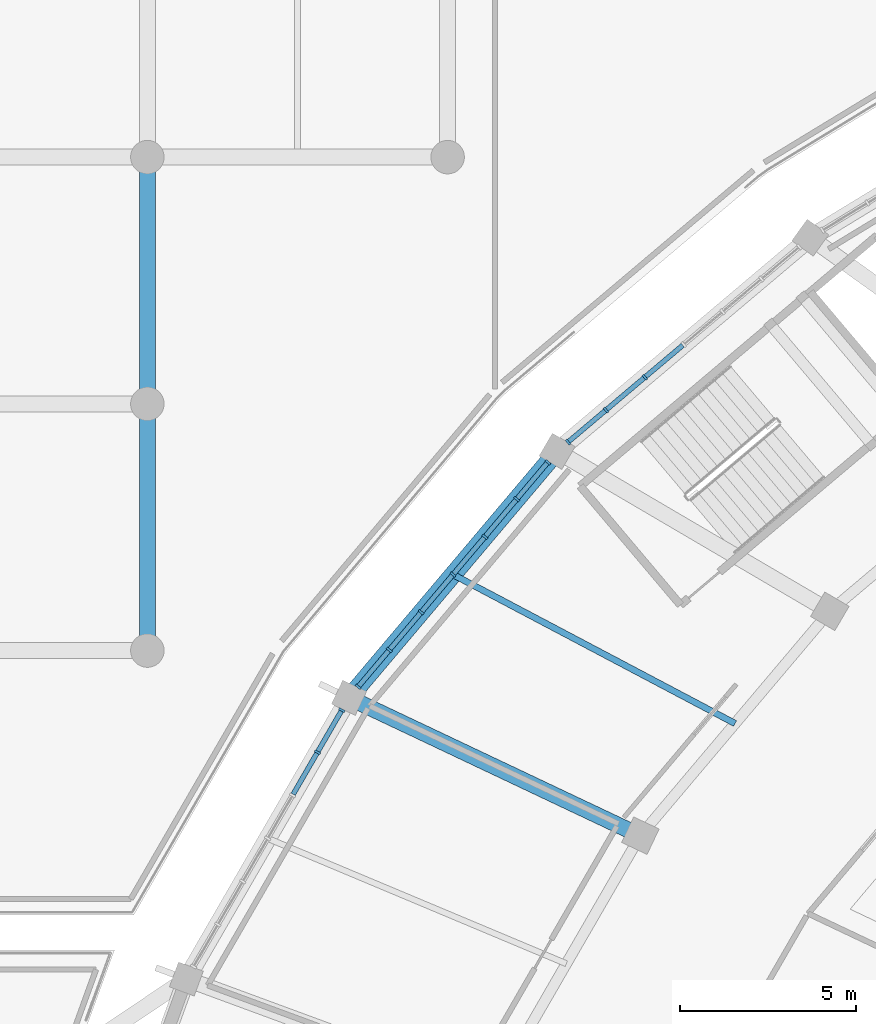
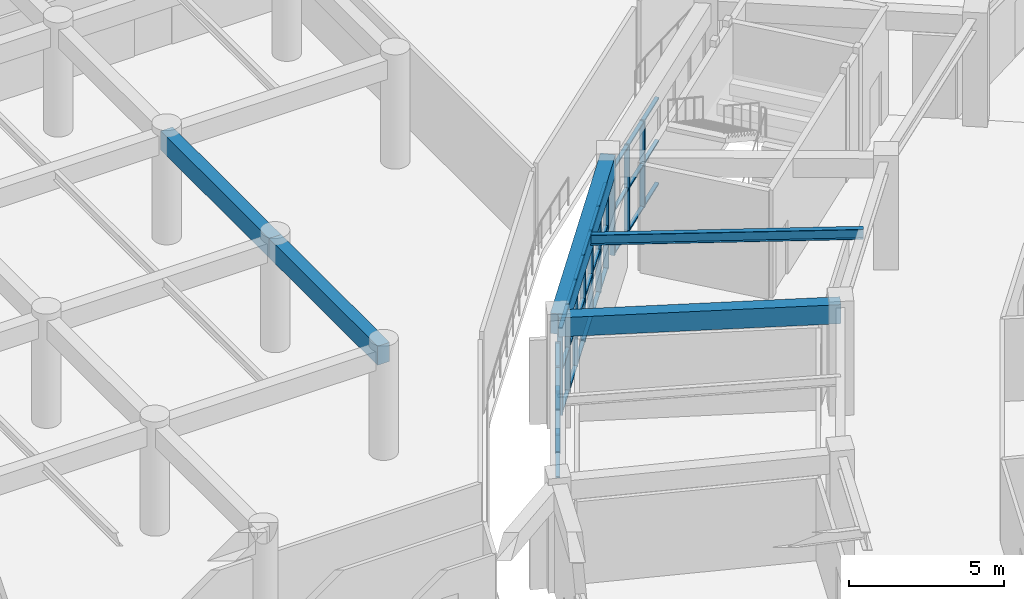
# One storey, part 49 of 141: 45 members, 5 beams, 3 elements without a shape of their own.
"""IFC4 building model written with IfcOpenShell, lengths in metres."""

from ifc_helpers import new_model, si_unit, direction, frame, origin, origin_2d, place, context, subcontext, project, spatial, rectangle, i_section, extrude, material, layer, layer_set, material_profile, profile_set, type_object, element, aggregate, save


model = new_model("IFC4")

# Units and contexts
model_context = context("Model", 3, precision=1e-05, world=origin(), true_north=direction((0.0, 1.0)))
body_context = subcontext(model_context, "Body", "Model", "MODEL_VIEW")
ifc_project = project(units=[si_unit("LENGTHUNIT", "METRE"), si_unit("AREAUNIT", "SQUARE_METRE"), si_unit("VOLUMEUNIT", "CUBIC_METRE"), si_unit("PLANEANGLEUNIT", "RADIAN"), si_unit("MASSUNIT", "GRAM", prefix="KILO")], contexts=[model_context])

# Site, building, storey
site_placement = place(None, origin())
site = spatial("IfcSite", under=ifc_project, at=site_placement, CompositionType="ELEMENT")
building_placement = place(site_placement, origin())
building = spatial("IfcBuilding", under=site, at=building_placement, Name="Mphavela Belvedere Stadium", CompositionType="ELEMENT")
storey_placement = place(building_placement, frame((0.0, 0.0, 14.699951171875)))
storey = spatial("IfcBuildingStorey", under=building, at=storey_placement, Name="L03", CompositionType="ELEMENT", Elevation=14.699951171875)

# Beams
ifc_material_1 = material(Name="Steel S355", Category="steel")
ifc_material_profile_1 = material_profile(ifc_material_1, i_section(OverallWidth=0.179931640625, OverallDepth=0.39990234375, WebThickness=0.008544921875, FlangeThickness=0.013427734375, at=origin_2d()), Name="IPE 400")
ifc_profile_set_1 = profile_set([ifc_material_profile_1], Name="Steel S355")
beam_type_1 = type_object("IfcBeamType", Name="BM-JOIST-IPE400", PredefinedType="JOIST", material=ifc_profile_set_1)
beam_1_placement = place(storey_placement, frame((33.7119140625, 129.93115234375, 4.050048828125), z_axis=(-0.884250771824, 0.467012390123, 0.0), x_axis=(-0.467012390123, -0.884250771824, 0.0)))
element("IfcBeam", 1, at=beam_1_placement, inside=storey, type_object=beam_type_1, Name="Concourse floor joist L03-20", PredefinedType="JOIST", context=body_context, shape_type="SweptSolid", body=[
    extrude(i_section(OverallWidth=0.179931640625, OverallDepth=0.39990234375, WebThickness=0.008544921875, FlangeThickness=0.013427734375, at=origin_2d()), origin(), (0.0, 0.0, 1.0), 9.0498046875),
])
ifc_material_2 = material(Name="Concrete C40/50", Category="concrete")
ifc_material_profile_2 = material_profile(ifc_material_2, rectangle(XDim=0.449951171875, YDim=0.75, at=origin_2d()), Name="RC 450x750")
ifc_profile_set_2 = profile_set([ifc_material_profile_2], Name="Concrete C40/50")
beam_type_2 = type_object("IfcBeamType", Name="BM-RC450x750", PredefinedType="BEAM", material=ifc_profile_set_2)
beam_2_placement = place(storey_placement, frame((31.0244140625, 126.748291015625, 3.875), z_axis=(-0.903845427073, 0.427859140325, 0.0), x_axis=(-0.427859140325, -0.903845427073, 0.0)))
element("IfcBeam", 2, at=beam_2_placement, inside=storey, type_object=beam_type_2, Name="Radial concourse girder L03 R3R4-21", PredefinedType="BEAM", context=body_context, shape_type="SweptSolid", body=[
    extrude(rectangle(XDim=0.449951171875, YDim=0.75, at=origin_2d()), origin(), (0.0, 0.0, 1.0), 9.146240234375),
])
for number, where, z_axis, x_axis, name in (
    (3, (17.037109375, 132.0, 3.864990234375), (0.0, 1.0, 0.0), (-1.0, 0.0, 0.0), "North Mast and Ceremonial End Forecourt entablature beam Y L03 3-2"),
    (4, (17.037109375, 139.0, 3.864990234375), (0.0, 1.0, 0.0), (-1.0, 0.0, 0.0), "North Mast and Ceremonial End Forecourt entablature beam Y L03 3-3"),
):
    element("IfcBeam", number, at=place(storey_placement, frame(where, z_axis=z_axis, x_axis=x_axis)), inside=storey, type_object=beam_type_2, Name=name, PredefinedType="BEAM", context=body_context, shape_type="SweptSolid", body=[
        extrude(rectangle(XDim=0.449951171875, YDim=0.75, at=origin_2d()), origin(), (0.0, 0.0, 1.0), 7.0),
    ])
ifc_material_3 = material(Name="Concrete C40/50", Category="concrete")
ifc_material_profile_3 = material_profile(ifc_material_3, rectangle(XDim=0.5, YDim=0.800048828125, at=origin_2d()), Name="RC 500x800")
ifc_profile_set_3 = profile_set([ifc_material_profile_3], Name="Concrete C40/50")
beam_type_3 = type_object("IfcBeamType", Name="BM-SPANDREL-800", PredefinedType="SPANDREL", material=ifc_profile_set_3)
beam_3_placement = place(storey_placement, frame((28.66162109375, 137.653564453125, 3.85009765625), z_axis=(-0.645164552218, -0.764043650952, 0.0), x_axis=(0.764043650952, -0.645164552218, 0.0)))
element("IfcBeam", 5, at=beam_3_placement, inside=storey, type_object=beam_type_3, Name="Circumferential girder L03 R4-20", PredefinedType="SPANDREL", context=body_context, shape_type="SweptSolid", body=[
    extrude(rectangle(XDim=0.5, YDim=0.800048828125, at=origin_2d()), origin(), (0.0, 0.0, 1.0), 9.151123046875),
])

# Curtain wall, members
ifc_material_4 = material(Name="Anodised bronze unitised curtain wall framing")
ifc_layer_1 = layer(ifc_material_4, 0.195068359375)
ifc_layer_set_1 = layer_set([ifc_layer_1], Name="Anodised bronze unitised curtain wall framing")
curtain_wall_type_1 = type_object("IfcCurtainWallType", Name="CW-UNIT-04", PredefinedType="USERDEFINED", material=ifc_layer_set_1)
curtain_wall_1_placement = place(storey_placement, origin())
curtain_wall_1 = element("IfcCurtainWall", 6, at=curtain_wall_1_placement, inside=storey, type_object=curtain_wall_type_1, Name="Belvedere colonnade curtain wall L03-19", ObjectType="UNITISED CURTAIN WALL", PredefinedType="USERDEFINED")
ifc_material_5 = material(Name="Anodised bronze extruded aluminium", Category="aluminium")
ifc_material_profile_4 = material_profile(ifc_material_5, rectangle(XDim=0.179931640625, YDim=0.06494140625, at=origin_2d()), Name="CW-MUL 180x65")
ifc_profile_set_4 = profile_set([ifc_material_profile_4], Name="Anodised bronze extruded aluminium")
member_type_1 = type_object("IfcMemberType", Name="CWM-180x65", PredefinedType="MULLION", material=ifc_profile_set_4)
member_1_placement = place(storey_placement, frame((31.15087890625, 139.754150390625, 0.0), z_axis=(0.0, 0.0, 1.0), x_axis=(0.644904906656, -0.764262822183, 0.0)))
member_1 = element("IfcMember", 7, at=member_1_placement, type_object=member_type_1, Name="CW-04 mullion 5", PredefinedType="MULLION", context=body_context, shape_type="SweptSolid", body=[
    extrude(rectangle(XDim=0.179931640625, YDim=0.06494140625, at=origin_2d()), origin(), (0.0, 0.0, 1.0), 3.420166015625),
])
member_2_placement = place(storey_placement, frame((30.048828125, 138.823974609375, 0.0), z_axis=(0.0, 0.0, 1.0), x_axis=(0.644904906656, -0.764262822183, 0.0)))
member_2 = element("IfcMember", 8, at=member_2_placement, type_object=member_type_1, Name="CW-04 mullion 6", PredefinedType="MULLION", context=body_context, shape_type="SweptSolid", body=[
    extrude(rectangle(XDim=0.179931640625, YDim=0.06494140625, at=origin_2d()), origin(), (0.0, 0.0, 1.0), 3.420166015625),
])
member_3_placement = place(storey_placement, frame((28.9716796875, 137.9150390625, 0.0), z_axis=(0.0, 0.0, 1.0), x_axis=(0.644904906656, -0.764262822183, 0.0)))
member_3 = element("IfcMember", 9, at=member_3_placement, type_object=member_type_1, Name="CW-04 mullion 7", PredefinedType="MULLION", context=body_context, shape_type="SweptSolid", body=[
    extrude(rectangle(XDim=0.179931640625, YDim=0.06494140625, at=origin_2d()), origin(), (0.0, 0.0, 1.0), 3.420166015625),
])

ifc_material_6 = material(Name="Anodised bronze unitised curtain wall framing")
ifc_layer_2 = layer(ifc_material_6, 0.199951171875)
ifc_layer_set_2 = layer_set([ifc_layer_2], Name="Anodised bronze unitised curtain wall framing")
curtain_wall_type_2 = type_object("IfcCurtainWallType", Name="CW-UNIT-05", PredefinedType="USERDEFINED", material=ifc_layer_set_2)
curtain_wall_2_placement = place(storey_placement, origin())
curtain_wall_2 = element("IfcCurtainWall", 10, at=curtain_wall_2_placement, inside=storey, type_object=curtain_wall_type_2, Name="Belvedere colonnade curtain wall L03-20", ObjectType="UNITISED CURTAIN WALL", PredefinedType="USERDEFINED")
member_4_placement = place(storey_placement, frame((28.400146484375, 137.34375, 0.0), z_axis=(0.0, 0.0, 1.0), x_axis=(0.76403121907, -0.645179274532, 0.0)))
member_4 = element("IfcMember", 11, at=member_4_placement, type_object=member_type_1, Name="CW-05 mullion 1", PredefinedType="MULLION", context=body_context, shape_type="SweptSolid", body=[
    extrude(rectangle(XDim=0.179931640625, YDim=0.06494140625, at=origin_2d()), origin(), (0.0, 0.0, 1.0), 3.420166015625),
])
member_5_placement = place(storey_placement, frame((27.517333984375, 136.298095703125, 0.0), z_axis=(0.0, 0.0, 1.0), x_axis=(0.76403121907, -0.645179274532, 0.0)))
member_5 = element("IfcMember", 12, at=member_5_placement, type_object=member_type_1, Name="CW-05 mullion 2", PredefinedType="MULLION", context=body_context, shape_type="SweptSolid", body=[
    extrude(rectangle(XDim=0.179931640625, YDim=0.06494140625, at=origin_2d()), origin(), (0.0, 0.0, 1.0), 3.420166015625),
])
member_6_placement = place(storey_placement, frame((26.613525390625, 135.227783203125, 0.0), z_axis=(0.0, 0.0, 1.0), x_axis=(0.76403121907, -0.645179274532, 0.0)))
member_6 = element("IfcMember", 13, at=member_6_placement, type_object=member_type_1, Name="CW-05 mullion 3", PredefinedType="MULLION", context=body_context, shape_type="SweptSolid", body=[
    extrude(rectangle(XDim=0.179931640625, YDim=0.06494140625, at=origin_2d()), origin(), (0.0, 0.0, 1.0), 3.420166015625),
])
member_7_placement = place(storey_placement, frame((25.709716796875, 134.157470703125, 0.0), z_axis=(0.0, 0.0, 1.0), x_axis=(0.76403121907, -0.645179274532, 0.0)))
member_7 = element("IfcMember", 14, at=member_7_placement, type_object=member_type_1, Name="CW-05 mullion 4", PredefinedType="MULLION", context=body_context, shape_type="SweptSolid", body=[
    extrude(rectangle(XDim=0.179931640625, YDim=0.06494140625, at=origin_2d()), origin(), (0.0, 0.0, 1.0), 3.420166015625),
])
member_8_placement = place(storey_placement, frame((24.8056640625, 133.087158203125, 0.0), z_axis=(0.0, 0.0, 1.0), x_axis=(0.76403121907, -0.645179274532, 0.0)))
member_8 = element("IfcMember", 15, at=member_8_placement, type_object=member_type_1, Name="CW-05 mullion 5", PredefinedType="MULLION", context=body_context, shape_type="SweptSolid", body=[
    extrude(rectangle(XDim=0.179931640625, YDim=0.06494140625, at=origin_2d()), origin(), (0.0, 0.0, 1.0), 3.420166015625),
])
member_9_placement = place(storey_placement, frame((23.90185546875, 132.016845703125, 0.0), z_axis=(0.0, 0.0, 1.0), x_axis=(0.76403121907, -0.645179274532, 0.0)))
member_9 = element("IfcMember", 16, at=member_9_placement, type_object=member_type_1, Name="CW-05 mullion 6", PredefinedType="MULLION", context=body_context, shape_type="SweptSolid", body=[
    extrude(rectangle(XDim=0.179931640625, YDim=0.06494140625, at=origin_2d()), origin(), (0.0, 0.0, 1.0), 3.420166015625),
])
member_10_placement = place(storey_placement, frame((23.01904296875, 130.971435546875, 0.0), z_axis=(0.0, 0.0, 1.0), x_axis=(0.76403121907, -0.645179274532, 0.0)))
member_10 = element("IfcMember", 17, at=member_10_placement, type_object=member_type_1, Name="CW-05 mullion 7", PredefinedType="MULLION", context=body_context, shape_type="SweptSolid", body=[
    extrude(rectangle(XDim=0.179931640625, YDim=0.06494140625, at=origin_2d()), origin(), (0.0, 0.0, 1.0), 3.420166015625),
])

ifc_material_7 = material(Name="Anodised bronze unitised curtain wall framing")
ifc_layer_3 = layer(ifc_material_7, 0.205078125)
ifc_layer_set_3 = layer_set([ifc_layer_3], Name="Anodised bronze unitised curtain wall framing")
curtain_wall_type_3 = type_object("IfcCurtainWallType", Name="CW-UNIT-06", PredefinedType="USERDEFINED", material=ifc_layer_set_3)
curtain_wall_3_placement = place(storey_placement, origin())
curtain_wall_3 = element("IfcCurtainWall", 18, at=curtain_wall_3_placement, inside=storey, type_object=curtain_wall_type_3, Name="Belvedere colonnade curtain wall L03-21", ObjectType="UNITISED CURTAIN WALL", PredefinedType="USERDEFINED")
member_11_placement = place(storey_placement, frame((22.554443359375, 130.310546875, 0.0), z_axis=(0.0, 0.0, 1.0), x_axis=(0.865705257789, -0.50055409961, 0.0)))
member_11 = element("IfcMember", 19, at=member_11_placement, type_object=member_type_1, Name="CW-06 mullion 1", PredefinedType="MULLION", context=body_context, shape_type="SweptSolid", body=[
    extrude(rectangle(XDim=0.179931640625, YDim=0.06494140625, at=origin_2d()), origin(), (0.0, 0.0, 1.0), 3.420166015625),
])
member_12_placement = place(storey_placement, frame((21.864013671875, 129.116455078125, 0.0), z_axis=(0.0, 0.0, 1.0), x_axis=(0.865705257789, -0.50055409961, 0.0)))
member_12 = element("IfcMember", 20, at=member_12_placement, type_object=member_type_1, Name="CW-06 mullion 2", PredefinedType="MULLION", context=body_context, shape_type="SweptSolid", body=[
    extrude(rectangle(XDim=0.179931640625, YDim=0.06494140625, at=origin_2d()), origin(), (0.0, 0.0, 1.0), 3.420166015625),
])

# Member
ifc_material_8 = material(Name="Anodised bronze extruded aluminium", Category="aluminium")
ifc_material_profile_5 = material_profile(ifc_material_8, rectangle(XDim=0.139892578125, YDim=0.06005859375, at=origin_2d()), Name="CW-TRN 140x60")
ifc_profile_set_5 = profile_set([ifc_material_profile_5], Name="Anodised bronze extruded aluminium")
member_type_2 = type_object("IfcMemberType", Name="CWT-140x60", PredefinedType="USERDEFINED", material=ifc_profile_set_5)
member_13_placement = place(storey_placement, frame((32.228271484375, 140.6630859375, 0.030029296875), z_axis=(-0.764239602588, -0.64493242269, 0.0), x_axis=(0.64493242269, -0.764239602588, 0.0)))
member_13 = element("IfcMember", 21, at=member_13_placement, type_object=member_type_2, Name="CW-04 transom 4.1", ObjectType="TRANSOM", PredefinedType="USERDEFINED", context=body_context, shape_type="SweptSolid", body=[
    extrude(rectangle(XDim=0.139892578125, YDim=0.06005859375, at=origin_2d()), origin(), (0.0, 0.0, 1.0), 1.377197265625),
])

member_14_placement = place(storey_placement, frame((32.228271484375, 140.6630859375, 1.7099609375), z_axis=(-0.764239602588, -0.64493242269, 0.0), x_axis=(0.64493242269, -0.764239602588, 0.0)))
member_14 = element("IfcMember", 22, at=member_14_placement, type_object=member_type_2, Name="CW-04 transom 4.2", ObjectType="TRANSOM", PredefinedType="USERDEFINED", context=body_context, shape_type="SweptSolid", body=[
    extrude(rectangle(XDim=0.139892578125, YDim=0.06005859375, at=origin_2d()), origin(), (0.0, 0.0, 1.0), 1.377197265625),
])

member_15_placement = place(storey_placement, frame((32.228271484375, 140.6630859375, 3.39013671875), z_axis=(-0.764239602588, -0.64493242269, 0.0), x_axis=(0.64493242269, -0.764239602588, 0.0)))
member_15 = element("IfcMember", 23, at=member_15_placement, type_object=member_type_2, Name="CW-04 transom 4.3", ObjectType="TRANSOM", PredefinedType="USERDEFINED", context=body_context, shape_type="SweptSolid", body=[
    extrude(rectangle(XDim=0.139892578125, YDim=0.06005859375, at=origin_2d()), origin(), (0.0, 0.0, 1.0), 1.377197265625),
])

member_16_placement = place(storey_placement, frame((31.126220703125, 139.733154296875, 0.030029296875), z_axis=(-0.764239602588, -0.64493242269, 0.0), x_axis=(0.64493242269, -0.764239602588, 0.0)))
member_16 = element("IfcMember", 24, at=member_16_placement, type_object=member_type_2, Name="CW-04 transom 5.1", ObjectType="TRANSOM", PredefinedType="USERDEFINED", context=body_context, shape_type="SweptSolid", body=[
    extrude(rectangle(XDim=0.139892578125, YDim=0.06005859375, at=origin_2d()), origin(), (0.0, 0.0, 1.0), 1.377197265625),
])

member_17_placement = place(storey_placement, frame((31.126220703125, 139.733154296875, 1.7099609375), z_axis=(-0.764239602588, -0.64493242269, 0.0), x_axis=(0.64493242269, -0.764239602588, 0.0)))
member_17 = element("IfcMember", 25, at=member_17_placement, type_object=member_type_2, Name="CW-04 transom 5.2", ObjectType="TRANSOM", PredefinedType="USERDEFINED", context=body_context, shape_type="SweptSolid", body=[
    extrude(rectangle(XDim=0.139892578125, YDim=0.06005859375, at=origin_2d()), origin(), (0.0, 0.0, 1.0), 1.377197265625),
])

member_18_placement = place(storey_placement, frame((31.126220703125, 139.733154296875, 3.39013671875), z_axis=(-0.764239602588, -0.64493242269, 0.0), x_axis=(0.64493242269, -0.764239602588, 0.0)))
member_18 = element("IfcMember", 26, at=member_18_placement, type_object=member_type_2, Name="CW-04 transom 5.3", ObjectType="TRANSOM", PredefinedType="USERDEFINED", context=body_context, shape_type="SweptSolid", body=[
    extrude(rectangle(XDim=0.139892578125, YDim=0.06005859375, at=origin_2d()), origin(), (0.0, 0.0, 1.0), 1.377197265625),
])

member_19_placement = place(storey_placement, frame((30.02392578125, 138.80322265625, 0.030029296875), z_axis=(-0.764157212068, -0.645030042126, 0.0), x_axis=(0.645030042126, -0.764157212068, 0.0)))
member_19 = element("IfcMember", 27, at=member_19_placement, type_object=member_type_2, Name="CW-04 transom 6.1", ObjectType="TRANSOM", PredefinedType="USERDEFINED", context=body_context, shape_type="SweptSolid", body=[
    extrude(rectangle(XDim=0.139892578125, YDim=0.06005859375, at=origin_2d()), origin(), (0.0, 0.0, 1.0), 1.344482421875),
])

member_20_placement = place(storey_placement, frame((30.02392578125, 138.80322265625, 1.7099609375), z_axis=(-0.764157212068, -0.645030042126, 0.0), x_axis=(0.645030042126, -0.764157212068, 0.0)))
member_20 = element("IfcMember", 28, at=member_20_placement, type_object=member_type_2, Name="CW-04 transom 6.2", ObjectType="TRANSOM", PredefinedType="USERDEFINED", context=body_context, shape_type="SweptSolid", body=[
    extrude(rectangle(XDim=0.139892578125, YDim=0.06005859375, at=origin_2d()), origin(), (0.0, 0.0, 1.0), 1.344482421875),
])

member_21_placement = place(storey_placement, frame((30.02392578125, 138.80322265625, 3.39013671875), z_axis=(-0.764157212068, -0.645030042126, 0.0), x_axis=(0.645030042126, -0.764157212068, 0.0)))
member_21 = element("IfcMember", 29, at=member_21_placement, type_object=member_type_2, Name="CW-04 transom 6.3", ObjectType="TRANSOM", PredefinedType="USERDEFINED", context=body_context, shape_type="SweptSolid", body=[
    extrude(rectangle(XDim=0.139892578125, YDim=0.06005859375, at=origin_2d()), origin(), (0.0, 0.0, 1.0), 1.344482421875),
])

aggregate(curtain_wall_1, [member_1, member_2, member_3, member_13, member_14, member_15, member_16, member_17, member_18, member_19, member_20, member_21])

member_22_placement = place(storey_placement, frame((28.379150390625, 137.31884765625, 0.030029296875), z_axis=(-0.645127358185, -0.76407505634, 0.0), x_axis=(0.76407505634, -0.645127358185, 0.0)))
member_22 = element("IfcMember", 30, at=member_22_placement, type_object=member_type_2, Name="CW-05 transom 1.1", ObjectType="TRANSOM", PredefinedType="USERDEFINED", context=body_context, shape_type="SweptSolid", body=[
    extrude(rectangle(XDim=0.139892578125, YDim=0.06005859375, at=origin_2d()), origin(), (0.0, 0.0, 1.0), 1.30322265625),
])

member_23_placement = place(storey_placement, frame((28.379150390625, 137.31884765625, 1.7099609375), z_axis=(-0.645127358185, -0.76407505634, 0.0), x_axis=(0.76407505634, -0.645127358185, 0.0)))
member_23 = element("IfcMember", 31, at=member_23_placement, type_object=member_type_2, Name="CW-05 transom 1.2", ObjectType="TRANSOM", PredefinedType="USERDEFINED", context=body_context, shape_type="SweptSolid", body=[
    extrude(rectangle(XDim=0.139892578125, YDim=0.06005859375, at=origin_2d()), origin(), (0.0, 0.0, 1.0), 1.30322265625),
])

member_24_placement = place(storey_placement, frame((28.379150390625, 137.31884765625, 3.39013671875), z_axis=(-0.645127358185, -0.76407505634, 0.0), x_axis=(0.76407505634, -0.645127358185, 0.0)))
member_24 = element("IfcMember", 32, at=member_24_placement, type_object=member_type_2, Name="CW-05 transom 1.3", ObjectType="TRANSOM", PredefinedType="USERDEFINED", context=body_context, shape_type="SweptSolid", body=[
    extrude(rectangle(XDim=0.139892578125, YDim=0.06005859375, at=origin_2d()), origin(), (0.0, 0.0, 1.0), 1.30322265625),
])

member_25_placement = place(storey_placement, frame((27.496337890625, 136.2734375, 0.030029296875), z_axis=(-0.645114436759, -0.764085966031, 0.0), x_axis=(0.764085966031, -0.645114436759, 0.0)))
member_25 = element("IfcMember", 33, at=member_25_placement, type_object=member_type_2, Name="CW-05 transom 2.1", ObjectType="TRANSOM", PredefinedType="USERDEFINED", context=body_context, shape_type="SweptSolid", body=[
    extrude(rectangle(XDim=0.139892578125, YDim=0.06005859375, at=origin_2d()), origin(), (0.0, 0.0, 1.0), 1.3359375),
])

member_26_placement = place(storey_placement, frame((27.496337890625, 136.2734375, 1.7099609375), z_axis=(-0.645114436759, -0.764085966031, 0.0), x_axis=(0.764085966031, -0.645114436759, 0.0)))
member_26 = element("IfcMember", 34, at=member_26_placement, type_object=member_type_2, Name="CW-05 transom 2.2", ObjectType="TRANSOM", PredefinedType="USERDEFINED", context=body_context, shape_type="SweptSolid", body=[
    extrude(rectangle(XDim=0.139892578125, YDim=0.06005859375, at=origin_2d()), origin(), (0.0, 0.0, 1.0), 1.3359375),
])

member_27_placement = place(storey_placement, frame((27.496337890625, 136.2734375, 3.39013671875), z_axis=(-0.645114436759, -0.764085966031, 0.0), x_axis=(0.764085966031, -0.645114436759, 0.0)))
member_27 = element("IfcMember", 35, at=member_27_placement, type_object=member_type_2, Name="CW-05 transom 2.3", ObjectType="TRANSOM", PredefinedType="USERDEFINED", context=body_context, shape_type="SweptSolid", body=[
    extrude(rectangle(XDim=0.139892578125, YDim=0.06005859375, at=origin_2d()), origin(), (0.0, 0.0, 1.0), 1.3359375),
])

member_28_placement = place(storey_placement, frame((26.592529296875, 135.202880859375, 0.030029296875), z_axis=(-0.645311197861, -0.763919798091, 0.0), x_axis=(0.763919798091, -0.645311197861, 0.0)))
member_28 = element("IfcMember", 36, at=member_28_placement, type_object=member_type_2, Name="CW-05 transom 3.1", ObjectType="TRANSOM", PredefinedType="USERDEFINED", context=body_context, shape_type="SweptSolid", body=[
    extrude(rectangle(XDim=0.139892578125, YDim=0.06005859375, at=origin_2d()), origin(), (0.0, 0.0, 1.0), 1.3359375),
])

member_29_placement = place(storey_placement, frame((26.592529296875, 135.202880859375, 1.7099609375), z_axis=(-0.645311197861, -0.763919798091, 0.0), x_axis=(0.763919798091, -0.645311197861, 0.0)))
member_29 = element("IfcMember", 37, at=member_29_placement, type_object=member_type_2, Name="CW-05 transom 3.2", ObjectType="TRANSOM", PredefinedType="USERDEFINED", context=body_context, shape_type="SweptSolid", body=[
    extrude(rectangle(XDim=0.139892578125, YDim=0.06005859375, at=origin_2d()), origin(), (0.0, 0.0, 1.0), 1.3359375),
])

member_30_placement = place(storey_placement, frame((26.592529296875, 135.202880859375, 3.39013671875), z_axis=(-0.645311197861, -0.763919798091, 0.0), x_axis=(0.763919798091, -0.645311197861, 0.0)))
member_30 = element("IfcMember", 38, at=member_30_placement, type_object=member_type_2, Name="CW-05 transom 3.3", ObjectType="TRANSOM", PredefinedType="USERDEFINED", context=body_context, shape_type="SweptSolid", body=[
    extrude(rectangle(XDim=0.139892578125, YDim=0.06005859375, at=origin_2d()), origin(), (0.0, 0.0, 1.0), 1.3359375),
])

member_31_placement = place(storey_placement, frame((25.688720703125, 134.132568359375, 0.030029296875), z_axis=(-0.645311197861, -0.763919798091, 0.0), x_axis=(0.763919798091, -0.645311197861, 0.0)))
member_31 = element("IfcMember", 39, at=member_31_placement, type_object=member_type_2, Name="CW-05 transom 4.1", ObjectType="TRANSOM", PredefinedType="USERDEFINED", context=body_context, shape_type="SweptSolid", body=[
    extrude(rectangle(XDim=0.139892578125, YDim=0.06005859375, at=origin_2d()), origin(), (0.0, 0.0, 1.0), 1.3359375),
])

member_32_placement = place(storey_placement, frame((25.688720703125, 134.132568359375, 1.7099609375), z_axis=(-0.645311197861, -0.763919798091, 0.0), x_axis=(0.763919798091, -0.645311197861, 0.0)))
member_32 = element("IfcMember", 40, at=member_32_placement, type_object=member_type_2, Name="CW-05 transom 4.2", ObjectType="TRANSOM", PredefinedType="USERDEFINED", context=body_context, shape_type="SweptSolid", body=[
    extrude(rectangle(XDim=0.139892578125, YDim=0.06005859375, at=origin_2d()), origin(), (0.0, 0.0, 1.0), 1.3359375),
])

member_33_placement = place(storey_placement, frame((25.688720703125, 134.132568359375, 3.39013671875), z_axis=(-0.645311197861, -0.763919798091, 0.0), x_axis=(0.763919798091, -0.645311197861, 0.0)))
member_33 = element("IfcMember", 41, at=member_33_placement, type_object=member_type_2, Name="CW-05 transom 4.3", ObjectType="TRANSOM", PredefinedType="USERDEFINED", context=body_context, shape_type="SweptSolid", body=[
    extrude(rectangle(XDim=0.139892578125, YDim=0.06005859375, at=origin_2d()), origin(), (0.0, 0.0, 1.0), 1.3359375),
])

member_34_placement = place(storey_placement, frame((24.784912109375, 133.062255859375, 0.030029296875), z_axis=(-0.645311197861, -0.763919798091, 0.0), x_axis=(0.763919798091, -0.645311197861, 0.0)))
member_34 = element("IfcMember", 42, at=member_34_placement, type_object=member_type_2, Name="CW-05 transom 5.1", ObjectType="TRANSOM", PredefinedType="USERDEFINED", context=body_context, shape_type="SweptSolid", body=[
    extrude(rectangle(XDim=0.139892578125, YDim=0.06005859375, at=origin_2d()), origin(), (0.0, 0.0, 1.0), 1.3359375),
])

member_35_placement = place(storey_placement, frame((24.784912109375, 133.062255859375, 1.7099609375), z_axis=(-0.645311197861, -0.763919798091, 0.0), x_axis=(0.763919798091, -0.645311197861, 0.0)))
member_35 = element("IfcMember", 43, at=member_35_placement, type_object=member_type_2, Name="CW-05 transom 5.2", ObjectType="TRANSOM", PredefinedType="USERDEFINED", context=body_context, shape_type="SweptSolid", body=[
    extrude(rectangle(XDim=0.139892578125, YDim=0.06005859375, at=origin_2d()), origin(), (0.0, 0.0, 1.0), 1.3359375),
])

member_36_placement = place(storey_placement, frame((24.784912109375, 133.062255859375, 3.39013671875), z_axis=(-0.645311197861, -0.763919798091, 0.0), x_axis=(0.763919798091, -0.645311197861, 0.0)))
member_36 = element("IfcMember", 44, at=member_36_placement, type_object=member_type_2, Name="CW-05 transom 5.3", ObjectType="TRANSOM", PredefinedType="USERDEFINED", context=body_context, shape_type="SweptSolid", body=[
    extrude(rectangle(XDim=0.139892578125, YDim=0.06005859375, at=origin_2d()), origin(), (0.0, 0.0, 1.0), 1.3359375),
])

member_37_placement = place(storey_placement, frame((23.880859375, 131.991943359375, 0.030029296875), z_axis=(-0.645127358185, -0.76407505634, 0.0), x_axis=(0.76407505634, -0.645127358185, 0.0)))
member_37 = element("IfcMember", 45, at=member_37_placement, type_object=member_type_2, Name="CW-05 transom 6.1", ObjectType="TRANSOM", PredefinedType="USERDEFINED", context=body_context, shape_type="SweptSolid", body=[
    extrude(rectangle(XDim=0.139892578125, YDim=0.06005859375, at=origin_2d()), origin(), (0.0, 0.0, 1.0), 1.30322265625),
])

member_38_placement = place(storey_placement, frame((23.880859375, 131.991943359375, 1.7099609375), z_axis=(-0.645127358185, -0.76407505634, 0.0), x_axis=(0.76407505634, -0.645127358185, 0.0)))
member_38 = element("IfcMember", 46, at=member_38_placement, type_object=member_type_2, Name="CW-05 transom 6.2", ObjectType="TRANSOM", PredefinedType="USERDEFINED", context=body_context, shape_type="SweptSolid", body=[
    extrude(rectangle(XDim=0.139892578125, YDim=0.06005859375, at=origin_2d()), origin(), (0.0, 0.0, 1.0), 1.30322265625),
])

member_39_placement = place(storey_placement, frame((23.880859375, 131.991943359375, 3.39013671875), z_axis=(-0.645127358185, -0.76407505634, 0.0), x_axis=(0.76407505634, -0.645127358185, 0.0)))
member_39 = element("IfcMember", 47, at=member_39_placement, type_object=member_type_2, Name="CW-05 transom 6.3", ObjectType="TRANSOM", PredefinedType="USERDEFINED", context=body_context, shape_type="SweptSolid", body=[
    extrude(rectangle(XDim=0.139892578125, YDim=0.06005859375, at=origin_2d()), origin(), (0.0, 0.0, 1.0), 1.30322265625),
])

aggregate(curtain_wall_2, [member_4, member_5, member_6, member_7, member_8, member_9, member_10, member_22, member_23, member_24, member_25, member_26, member_27, member_28, member_29, member_30, member_31, member_32, member_33, member_34, member_35, member_36, member_37, member_38, member_39])

member_40_placement = place(storey_placement, frame((22.538330078125, 130.2822265625, 0.030029296875), z_axis=(-0.500633471094, -0.865659360037, 0.0), x_axis=(0.865659360037, -0.500633471094, 0.0)))
member_40 = element("IfcMember", 48, at=member_40_placement, type_object=member_type_2, Name="CW-06 transom 1.1", ObjectType="TRANSOM", PredefinedType="USERDEFINED", context=body_context, shape_type="SweptSolid", body=[
    extrude(rectangle(XDim=0.139892578125, YDim=0.06005859375, at=origin_2d()), origin(), (0.0, 0.0, 1.0), 1.314208984375),
])

member_41_placement = place(storey_placement, frame((22.538330078125, 130.2822265625, 1.7099609375), z_axis=(-0.500633471094, -0.865659360037, 0.0), x_axis=(0.865659360037, -0.500633471094, 0.0)))
member_41 = element("IfcMember", 49, at=member_41_placement, type_object=member_type_2, Name="CW-06 transom 1.2", ObjectType="TRANSOM", PredefinedType="USERDEFINED", context=body_context, shape_type="SweptSolid", body=[
    extrude(rectangle(XDim=0.139892578125, YDim=0.06005859375, at=origin_2d()), origin(), (0.0, 0.0, 1.0), 1.314208984375),
])

member_42_placement = place(storey_placement, frame((22.538330078125, 130.2822265625, 3.39013671875), z_axis=(-0.500633471094, -0.865659360037, 0.0), x_axis=(0.865659360037, -0.500633471094, 0.0)))
member_42 = element("IfcMember", 50, at=member_42_placement, type_object=member_type_2, Name="CW-06 transom 1.3", ObjectType="TRANSOM", PredefinedType="USERDEFINED", context=body_context, shape_type="SweptSolid", body=[
    extrude(rectangle(XDim=0.139892578125, YDim=0.06005859375, at=origin_2d()), origin(), (0.0, 0.0, 1.0), 1.314208984375),
])

member_43_placement = place(storey_placement, frame((21.847900390625, 129.088134765625, 0.030029296875), z_axis=(-0.500700372519, -0.865620665742, 0.0), x_axis=(0.865620665742, -0.500700372519, 0.0)))
member_43 = element("IfcMember", 51, at=member_43_placement, type_object=member_type_2, Name="CW-06 transom 2.1", ObjectType="TRANSOM", PredefinedType="USERDEFINED", context=body_context, shape_type="SweptSolid", body=[
    extrude(rectangle(XDim=0.139892578125, YDim=0.06005859375, at=origin_2d()), origin(), (0.0, 0.0, 1.0), 1.3466796875),
])

member_44_placement = place(storey_placement, frame((21.847900390625, 129.088134765625, 1.7099609375), z_axis=(-0.500700372519, -0.865620665742, 0.0), x_axis=(0.865620665742, -0.500700372519, 0.0)))
member_44 = element("IfcMember", 52, at=member_44_placement, type_object=member_type_2, Name="CW-06 transom 2.2", ObjectType="TRANSOM", PredefinedType="USERDEFINED", context=body_context, shape_type="SweptSolid", body=[
    extrude(rectangle(XDim=0.139892578125, YDim=0.06005859375, at=origin_2d()), origin(), (0.0, 0.0, 1.0), 1.3466796875),
])

member_45_placement = place(storey_placement, frame((21.847900390625, 129.088134765625, 3.39013671875), z_axis=(-0.500700372519, -0.865620665742, 0.0), x_axis=(0.865620665742, -0.500700372519, 0.0)))
member_45 = element("IfcMember", 53, at=member_45_placement, type_object=member_type_2, Name="CW-06 transom 2.3", ObjectType="TRANSOM", PredefinedType="USERDEFINED", context=body_context, shape_type="SweptSolid", body=[
    extrude(rectangle(XDim=0.139892578125, YDim=0.06005859375, at=origin_2d()), origin(), (0.0, 0.0, 1.0), 1.3466796875),
])

aggregate(curtain_wall_3, [member_11, member_12, member_40, member_41, member_42, member_43, member_44, member_45])

save(model, "model.ifc")
